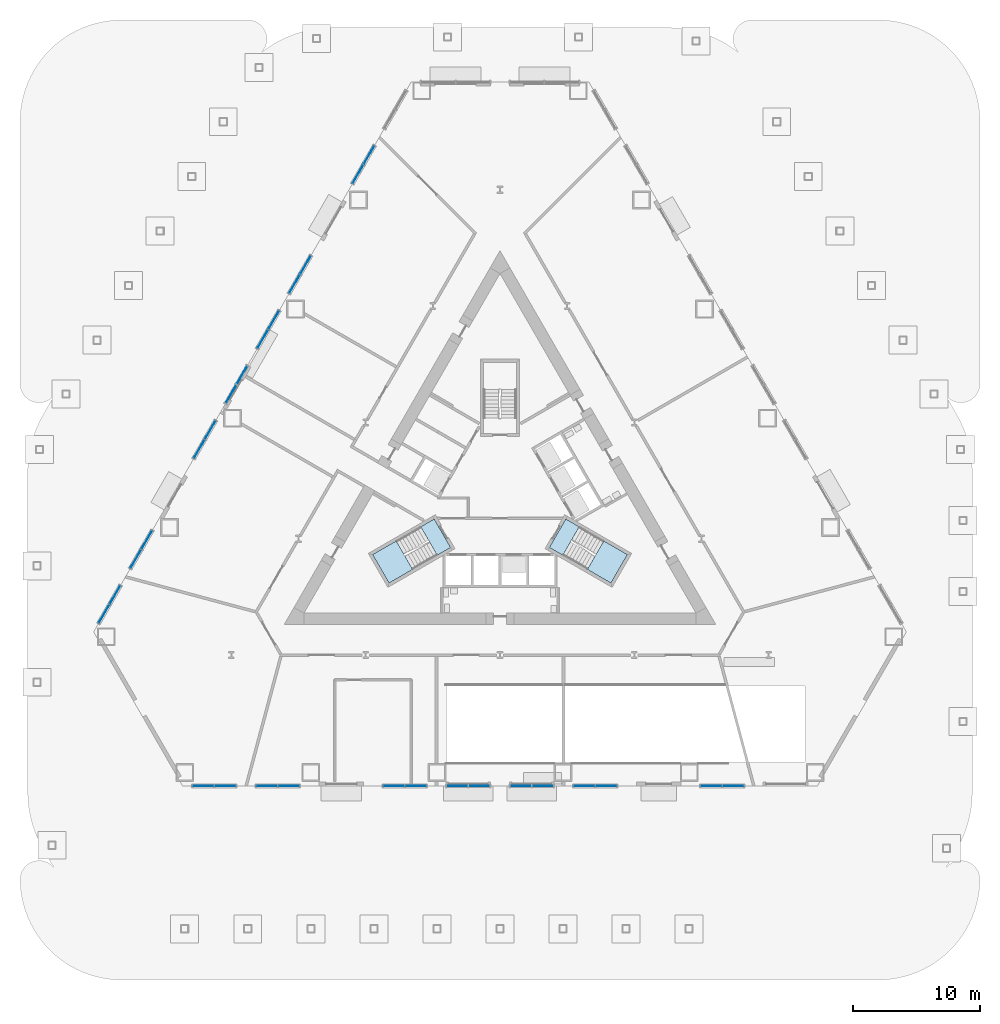
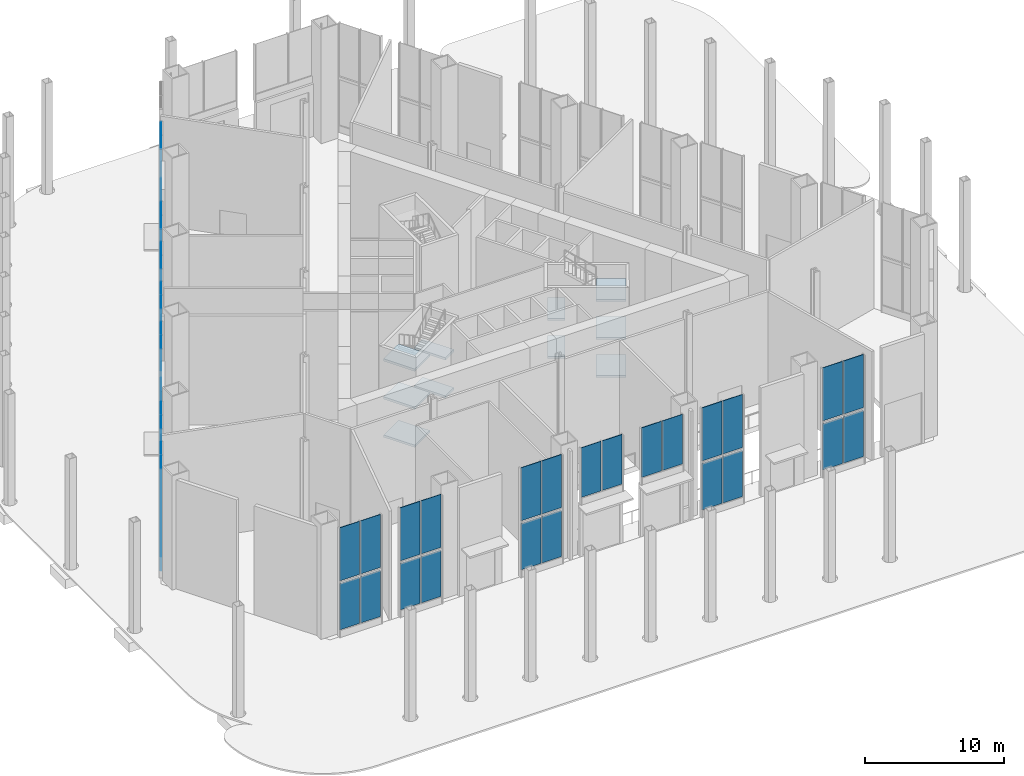
# One storey, part 7 of 18: 50 plates, 10 slabs, 16 elements without a shape of their own.
"""IFC4 building model written with IfcOpenShell, lengths in metres."""

from ifc_helpers import new_model, si_unit, direction, frame, origin, origin_2d, place, context, subcontext, project, spatial, polyline, rectangle, outline, extrude, material, layer, layer_set, type_object, element, aggregate, save


model = new_model("IFC4")

# Units and contexts
model_context = context("Model", 3, precision=1e-05, world=origin(), true_north=direction((0.0, 1.0)))
body_context = subcontext(model_context, "Body", "Model", "MODEL_VIEW")
ifc_project = project(units=[si_unit("LENGTHUNIT", "METRE"), si_unit("AREAUNIT", "SQUARE_METRE"), si_unit("VOLUMEUNIT", "CUBIC_METRE"), si_unit("PLANEANGLEUNIT", "RADIAN"), si_unit("MASSUNIT", "GRAM", prefix="KILO")], contexts=[model_context])

# Site, building, storey
site_placement = place(None, origin())
site = spatial("IfcSite", under=ifc_project, at=site_placement, CompositionType="ELEMENT")
building_placement = place(site_placement, origin())
building = spatial("IfcBuilding", under=site, at=building_placement, Name="Cormorant Prow Tower", CompositionType="ELEMENT")
storey_placement = place(building_placement, origin())
storey = spatial("IfcBuildingStorey", under=building, at=storey_placement, Name="L00", CompositionType="ELEMENT", Elevation=0.0)

# Curtain wall, plates
ifc_material_1 = material(Name="Aluminium 6063-T6", Category="aluminium")
ifc_layer_1 = layer(ifc_material_1, 0.300048828125)
ifc_layer_set_1 = layer_set([ifc_layer_1], Name="Aluminium 6063-T6")
curtain_wall_type = type_object("IfcCurtainWallType", Name="Concourse unitised curtain wall 300", PredefinedType="NOTDEFINED", material=ifc_layer_set_1)
curtain_wall_1_placement = place(storey_placement, origin())
curtain_wall_1 = element("IfcCurtainWall", 1, at=curtain_wall_1_placement, inside=storey, type_object=curtain_wall_type, Name="Concourse curtain wall S00", PredefinedType="NOTDEFINED")
ifc_material_2 = material(Name="Clear glass", Category="glass")
ifc_layer_2 = layer(ifc_material_2, 0.048095703125)
ifc_layer_set_2 = layer_set([ifc_layer_2], Name="Clear glass")
plate_type = type_object("IfcPlateType", Name="Concourse glass panel 48", PredefinedType="CURTAIN_PANEL", material=ifc_layer_set_2)
plate_1_placement = place(storey_placement, frame((-23.364990234375, -22.5166015625, 0.60009765625), z_axis=(0.0, 0.0, 1.0), x_axis=(1.0, 0.0, 0.0)))
plate_1 = element("IfcPlate", 2, at=plate_1_placement, type_object=plate_type, Name="Concourse glass panel S00", PredefinedType="CURTAIN_PANEL", context=body_context, shape_type="SweptSolid", body=[
    extrude(rectangle(XDim=1.64990234375, YDim=0.048095703125, at=origin_2d()), origin(), (0.0, 0.0, 1.0), 4.054931640625),
])
plate_2_placement = place(storey_placement, frame((-21.635009765625, -22.5166015625, 0.60009765625), z_axis=(0.0, 0.0, 1.0), x_axis=(1.0, 0.0, 0.0)))
plate_2 = element("IfcPlate", 3, at=plate_2_placement, type_object=plate_type, Name="Concourse glass panel S00", PredefinedType="CURTAIN_PANEL", context=body_context, shape_type="SweptSolid", body=[
    extrude(rectangle(XDim=1.64990234375, YDim=0.048095703125, at=origin_2d()), origin(), (0.0, 0.0, 1.0), 4.054931640625),
])
plate_3_placement = place(storey_placement, frame((-23.364990234375, -22.5166015625, 4.89501953125), z_axis=(0.0, 0.0, 1.0), x_axis=(1.0, 0.0, 0.0)))
plate_3 = element("IfcPlate", 4, at=plate_3_placement, type_object=plate_type, Name="Concourse glass panel S00", PredefinedType="CURTAIN_PANEL", context=body_context, shape_type="SweptSolid", body=[
    extrude(rectangle(XDim=1.64990234375, YDim=0.048095703125, at=origin_2d()), origin(), (0.0, 0.0, 1.0), 4.655029296875),
])
plate_4_placement = place(storey_placement, frame((-21.635009765625, -22.5166015625, 4.89501953125), z_axis=(0.0, 0.0, 1.0), x_axis=(1.0, 0.0, 0.0)))
plate_4 = element("IfcPlate", 5, at=plate_4_placement, type_object=plate_type, Name="Concourse glass panel S00", PredefinedType="CURTAIN_PANEL", context=body_context, shape_type="SweptSolid", body=[
    extrude(rectangle(XDim=1.64990234375, YDim=0.048095703125, at=origin_2d()), origin(), (0.0, 0.0, 1.0), 4.655029296875),
])
aggregate(curtain_wall_1, [plate_1, plate_2, plate_3, plate_4])

curtain_wall_2_placement = place(storey_placement, origin())
curtain_wall_2 = element("IfcCurtainWall", 6, at=curtain_wall_2_placement, inside=storey, type_object=curtain_wall_type, Name="Concourse curtain wall S01", PredefinedType="NOTDEFINED")
plate_5_placement = place(storey_placement, frame((-18.364990234375, -22.5166015625, 0.60009765625), z_axis=(0.0, 0.0, 1.0), x_axis=(1.0, 0.0, 0.0)))
plate_5 = element("IfcPlate", 7, at=plate_5_placement, type_object=plate_type, Name="Concourse glass panel S01", PredefinedType="CURTAIN_PANEL", context=body_context, shape_type="SweptSolid", body=[
    extrude(rectangle(XDim=1.64990234375, YDim=0.048095703125, at=origin_2d()), origin(), (0.0, 0.0, 1.0), 4.054931640625),
])
plate_6_placement = place(storey_placement, frame((-16.635009765625, -22.5166015625, 0.60009765625), z_axis=(0.0, 0.0, 1.0), x_axis=(1.0, 0.0, 0.0)))
plate_6 = element("IfcPlate", 8, at=plate_6_placement, type_object=plate_type, Name="Concourse glass panel S01", PredefinedType="CURTAIN_PANEL", context=body_context, shape_type="SweptSolid", body=[
    extrude(rectangle(XDim=1.64990234375, YDim=0.048095703125, at=origin_2d()), origin(), (0.0, 0.0, 1.0), 4.054931640625),
])
plate_7_placement = place(storey_placement, frame((-18.364990234375, -22.5166015625, 4.89501953125), z_axis=(0.0, 0.0, 1.0), x_axis=(1.0, 0.0, 0.0)))
plate_7 = element("IfcPlate", 9, at=plate_7_placement, type_object=plate_type, Name="Concourse glass panel S01", PredefinedType="CURTAIN_PANEL", context=body_context, shape_type="SweptSolid", body=[
    extrude(rectangle(XDim=1.64990234375, YDim=0.048095703125, at=origin_2d()), origin(), (0.0, 0.0, 1.0), 4.655029296875),
])
plate_8_placement = place(storey_placement, frame((-16.635009765625, -22.5166015625, 4.89501953125), z_axis=(0.0, 0.0, 1.0), x_axis=(1.0, 0.0, 0.0)))
plate_8 = element("IfcPlate", 10, at=plate_8_placement, type_object=plate_type, Name="Concourse glass panel S01", PredefinedType="CURTAIN_PANEL", context=body_context, shape_type="SweptSolid", body=[
    extrude(rectangle(XDim=1.64990234375, YDim=0.048095703125, at=origin_2d()), origin(), (0.0, 0.0, 1.0), 4.655029296875),
])
aggregate(curtain_wall_2, [plate_5, plate_6, plate_7, plate_8])

curtain_wall_3_placement = place(storey_placement, origin())
curtain_wall_3 = element("IfcCurtainWall", 11, at=curtain_wall_3_placement, inside=storey, type_object=curtain_wall_type, Name="Concourse curtain wall S03", PredefinedType="NOTDEFINED")
plate_9_placement = place(storey_placement, frame((-8.364990234375, -22.5166015625, 0.60009765625), z_axis=(0.0, 0.0, 1.0), x_axis=(1.0, 0.0, 0.0)))
plate_9 = element("IfcPlate", 12, at=plate_9_placement, type_object=plate_type, Name="Concourse glass panel S03", PredefinedType="CURTAIN_PANEL", context=body_context, shape_type="SweptSolid", body=[
    extrude(rectangle(XDim=1.64990234375, YDim=0.048095703125, at=origin_2d()), origin(), (0.0, 0.0, 1.0), 4.054931640625),
])
plate_10_placement = place(storey_placement, frame((-6.635009765625, -22.5166015625, 0.60009765625), z_axis=(0.0, 0.0, 1.0), x_axis=(1.0, 0.0, 0.0)))
plate_10 = element("IfcPlate", 13, at=plate_10_placement, type_object=plate_type, Name="Concourse glass panel S03", PredefinedType="CURTAIN_PANEL", context=body_context, shape_type="SweptSolid", body=[
    extrude(rectangle(XDim=1.64990234375, YDim=0.048095703125, at=origin_2d()), origin(), (0.0, 0.0, 1.0), 4.054931640625),
])
plate_11_placement = place(storey_placement, frame((-8.364990234375, -22.5166015625, 4.89501953125), z_axis=(0.0, 0.0, 1.0), x_axis=(1.0, 0.0, 0.0)))
plate_11 = element("IfcPlate", 14, at=plate_11_placement, type_object=plate_type, Name="Concourse glass panel S03", PredefinedType="CURTAIN_PANEL", context=body_context, shape_type="SweptSolid", body=[
    extrude(rectangle(XDim=1.64990234375, YDim=0.048095703125, at=origin_2d()), origin(), (0.0, 0.0, 1.0), 4.655029296875),
])
plate_12_placement = place(storey_placement, frame((-6.635009765625, -22.5166015625, 4.89501953125), z_axis=(0.0, 0.0, 1.0), x_axis=(1.0, 0.0, 0.0)))
plate_12 = element("IfcPlate", 15, at=plate_12_placement, type_object=plate_type, Name="Concourse glass panel S03", PredefinedType="CURTAIN_PANEL", context=body_context, shape_type="SweptSolid", body=[
    extrude(rectangle(XDim=1.64990234375, YDim=0.048095703125, at=origin_2d()), origin(), (0.0, 0.0, 1.0), 4.655029296875),
])
aggregate(curtain_wall_3, [plate_9, plate_10, plate_11, plate_12])

curtain_wall_4_placement = place(storey_placement, origin())
curtain_wall_4 = element("IfcCurtainWall", 16, at=curtain_wall_4_placement, inside=storey, type_object=curtain_wall_type, Name="Concourse curtain wall S04", PredefinedType="NOTDEFINED")
plate_13_placement = place(storey_placement, frame((-3.364990234375, -22.5166015625, 5.199951171875), z_axis=(0.0, 0.0, 1.0), x_axis=(1.0, 0.0, 0.0)))
plate_13 = element("IfcPlate", 17, at=plate_13_placement, type_object=plate_type, Name="Concourse glass panel S04", PredefinedType="CURTAIN_PANEL", context=body_context, shape_type="SweptSolid", body=[
    extrude(rectangle(XDim=1.64990234375, YDim=0.048095703125, at=origin_2d()), origin(), (0.0, 0.0, 1.0), 4.35009765625),
])
plate_14_placement = place(storey_placement, frame((-1.635009765625, -22.5166015625, 5.199951171875), z_axis=(0.0, 0.0, 1.0), x_axis=(1.0, 0.0, 0.0)))
plate_14 = element("IfcPlate", 18, at=plate_14_placement, type_object=plate_type, Name="Concourse glass panel S04", PredefinedType="CURTAIN_PANEL", context=body_context, shape_type="SweptSolid", body=[
    extrude(rectangle(XDim=1.64990234375, YDim=0.048095703125, at=origin_2d()), origin(), (0.0, 0.0, 1.0), 4.35009765625),
])
aggregate(curtain_wall_4, [plate_13, plate_14])

curtain_wall_5_placement = place(storey_placement, origin())
curtain_wall_5 = element("IfcCurtainWall", 19, at=curtain_wall_5_placement, inside=storey, type_object=curtain_wall_type, Name="Concourse curtain wall S05", PredefinedType="NOTDEFINED")
plate_15_placement = place(storey_placement, frame((1.635009765625, -22.5166015625, 5.199951171875), z_axis=(0.0, 0.0, 1.0), x_axis=(1.0, 0.0, 0.0)))
plate_15 = element("IfcPlate", 20, at=plate_15_placement, type_object=plate_type, Name="Concourse glass panel S05", PredefinedType="CURTAIN_PANEL", context=body_context, shape_type="SweptSolid", body=[
    extrude(rectangle(XDim=1.64990234375, YDim=0.048095703125, at=origin_2d()), origin(), (0.0, 0.0, 1.0), 4.35009765625),
])
plate_16_placement = place(storey_placement, frame((3.364990234375, -22.5166015625, 5.199951171875), z_axis=(0.0, 0.0, 1.0), x_axis=(1.0, 0.0, 0.0)))
plate_16 = element("IfcPlate", 21, at=plate_16_placement, type_object=plate_type, Name="Concourse glass panel S05", PredefinedType="CURTAIN_PANEL", context=body_context, shape_type="SweptSolid", body=[
    extrude(rectangle(XDim=1.64990234375, YDim=0.048095703125, at=origin_2d()), origin(), (0.0, 0.0, 1.0), 4.35009765625),
])
aggregate(curtain_wall_5, [plate_15, plate_16])

curtain_wall_6_placement = place(storey_placement, origin())
curtain_wall_6 = element("IfcCurtainWall", 22, at=curtain_wall_6_placement, inside=storey, type_object=curtain_wall_type, Name="Concourse curtain wall S06", PredefinedType="NOTDEFINED")
plate_17_placement = place(storey_placement, frame((6.635009765625, -22.5166015625, 0.60009765625), z_axis=(0.0, 0.0, 1.0), x_axis=(1.0, 0.0, 0.0)))
plate_17 = element("IfcPlate", 23, at=plate_17_placement, type_object=plate_type, Name="Concourse glass panel S06", PredefinedType="CURTAIN_PANEL", context=body_context, shape_type="SweptSolid", body=[
    extrude(rectangle(XDim=1.64990234375, YDim=0.048095703125, at=origin_2d()), origin(), (0.0, 0.0, 1.0), 4.054931640625),
])
plate_18_placement = place(storey_placement, frame((8.364990234375, -22.5166015625, 0.60009765625), z_axis=(0.0, 0.0, 1.0), x_axis=(1.0, 0.0, 0.0)))
plate_18 = element("IfcPlate", 24, at=plate_18_placement, type_object=plate_type, Name="Concourse glass panel S06", PredefinedType="CURTAIN_PANEL", context=body_context, shape_type="SweptSolid", body=[
    extrude(rectangle(XDim=1.64990234375, YDim=0.048095703125, at=origin_2d()), origin(), (0.0, 0.0, 1.0), 4.054931640625),
])
plate_19_placement = place(storey_placement, frame((6.635009765625, -22.5166015625, 4.89501953125), z_axis=(0.0, 0.0, 1.0), x_axis=(1.0, 0.0, 0.0)))
plate_19 = element("IfcPlate", 25, at=plate_19_placement, type_object=plate_type, Name="Concourse glass panel S06", PredefinedType="CURTAIN_PANEL", context=body_context, shape_type="SweptSolid", body=[
    extrude(rectangle(XDim=1.64990234375, YDim=0.048095703125, at=origin_2d()), origin(), (0.0, 0.0, 1.0), 4.655029296875),
])
plate_20_placement = place(storey_placement, frame((8.364990234375, -22.5166015625, 4.89501953125), z_axis=(0.0, 0.0, 1.0), x_axis=(1.0, 0.0, 0.0)))
plate_20 = element("IfcPlate", 26, at=plate_20_placement, type_object=plate_type, Name="Concourse glass panel S06", PredefinedType="CURTAIN_PANEL", context=body_context, shape_type="SweptSolid", body=[
    extrude(rectangle(XDim=1.64990234375, YDim=0.048095703125, at=origin_2d()), origin(), (0.0, 0.0, 1.0), 4.655029296875),
])
aggregate(curtain_wall_6, [plate_17, plate_18, plate_19, plate_20])

curtain_wall_7_placement = place(storey_placement, origin())
curtain_wall_7 = element("IfcCurtainWall", 27, at=curtain_wall_7_placement, inside=storey, type_object=curtain_wall_type, Name="Concourse curtain wall S08", PredefinedType="NOTDEFINED")
plate_21_placement = place(storey_placement, frame((16.635009765625, -22.5166015625, 0.60009765625), z_axis=(0.0, 0.0, 1.0), x_axis=(1.0, 0.0, 0.0)))
plate_21 = element("IfcPlate", 28, at=plate_21_placement, type_object=plate_type, Name="Concourse glass panel S08", PredefinedType="CURTAIN_PANEL", context=body_context, shape_type="SweptSolid", body=[
    extrude(rectangle(XDim=1.64990234375, YDim=0.048095703125, at=origin_2d()), origin(), (0.0, 0.0, 1.0), 4.054931640625),
])
plate_22_placement = place(storey_placement, frame((18.364990234375, -22.5166015625, 0.60009765625), z_axis=(0.0, 0.0, 1.0), x_axis=(1.0, 0.0, 0.0)))
plate_22 = element("IfcPlate", 29, at=plate_22_placement, type_object=plate_type, Name="Concourse glass panel S08", PredefinedType="CURTAIN_PANEL", context=body_context, shape_type="SweptSolid", body=[
    extrude(rectangle(XDim=1.64990234375, YDim=0.048095703125, at=origin_2d()), origin(), (0.0, 0.0, 1.0), 4.054931640625),
])
plate_23_placement = place(storey_placement, frame((16.635009765625, -22.5166015625, 4.89501953125), z_axis=(0.0, 0.0, 1.0), x_axis=(1.0, 0.0, 0.0)))
plate_23 = element("IfcPlate", 30, at=plate_23_placement, type_object=plate_type, Name="Concourse glass panel S08", PredefinedType="CURTAIN_PANEL", context=body_context, shape_type="SweptSolid", body=[
    extrude(rectangle(XDim=1.64990234375, YDim=0.048095703125, at=origin_2d()), origin(), (0.0, 0.0, 1.0), 4.655029296875),
])
plate_24_placement = place(storey_placement, frame((18.364990234375, -22.5166015625, 4.89501953125), z_axis=(0.0, 0.0, 1.0), x_axis=(1.0, 0.0, 0.0)))
plate_24 = element("IfcPlate", 31, at=plate_24_placement, type_object=plate_type, Name="Concourse glass panel S08", PredefinedType="CURTAIN_PANEL", context=body_context, shape_type="SweptSolid", body=[
    extrude(rectangle(XDim=1.64990234375, YDim=0.048095703125, at=origin_2d()), origin(), (0.0, 0.0, 1.0), 4.655029296875),
])
aggregate(curtain_wall_7, [plate_21, plate_22, plate_23, plate_24])

curtain_wall_8_placement = place(storey_placement, origin())
curtain_wall_8 = element("IfcCurtainWall", 32, at=curtain_wall_8_placement, inside=storey, type_object=curtain_wall_type, Name="Concourse curtain wall WNW01", PredefinedType="NOTDEFINED")
plate_25_placement = place(storey_placement, frame((-10.3173828125, 27.162841796875, 0.60009765625), z_axis=(0.0, 0.0, 1.0), x_axis=(-0.500000001632, -0.866025402842, 0.0)))
plate_25 = element("IfcPlate", 33, at=plate_25_placement, type_object=plate_type, Name="Concourse glass panel WNW01", PredefinedType="CURTAIN_PANEL", context=body_context, shape_type="SweptSolid", body=[
    extrude(rectangle(XDim=1.64990234375, YDim=0.048095703125, at=origin_2d()), origin(), (0.0, 0.0, 1.0), 4.054931640625),
])
plate_26_placement = place(storey_placement, frame((-11.1826171875, 25.66455078125, 0.60009765625), z_axis=(0.0, 0.0, 1.0), x_axis=(-0.500000001632, -0.866025402842, 0.0)))
plate_26 = element("IfcPlate", 34, at=plate_26_placement, type_object=plate_type, Name="Concourse glass panel WNW01", PredefinedType="CURTAIN_PANEL", context=body_context, shape_type="SweptSolid", body=[
    extrude(rectangle(XDim=1.64990234375, YDim=0.048095703125, at=origin_2d()), origin(), (0.0, 0.0, 1.0), 4.054931640625),
])
plate_27_placement = place(storey_placement, frame((-10.3173828125, 27.162841796875, 4.89501953125), z_axis=(0.0, 0.0, 1.0), x_axis=(-0.500000001632, -0.866025402842, 0.0)))
plate_27 = element("IfcPlate", 35, at=plate_27_placement, type_object=plate_type, Name="Concourse glass panel WNW01", PredefinedType="CURTAIN_PANEL", context=body_context, shape_type="SweptSolid", body=[
    extrude(rectangle(XDim=1.64990234375, YDim=0.048095703125, at=origin_2d()), origin(), (0.0, 0.0, 1.0), 4.655029296875),
])
plate_28_placement = place(storey_placement, frame((-11.1826171875, 25.66455078125, 4.89501953125), z_axis=(0.0, 0.0, 1.0), x_axis=(-0.500000001632, -0.866025402842, 0.0)))
plate_28 = element("IfcPlate", 36, at=plate_28_placement, type_object=plate_type, Name="Concourse glass panel WNW01", PredefinedType="CURTAIN_PANEL", context=body_context, shape_type="SweptSolid", body=[
    extrude(rectangle(XDim=1.64990234375, YDim=0.048095703125, at=origin_2d()), origin(), (0.0, 0.0, 1.0), 4.655029296875),
])
aggregate(curtain_wall_8, [plate_25, plate_26, plate_27, plate_28])

curtain_wall_9_placement = place(storey_placement, origin())
curtain_wall_9 = element("IfcCurtainWall", 37, at=curtain_wall_9_placement, inside=storey, type_object=curtain_wall_type, Name="Concourse curtain wall WNW03", PredefinedType="NOTDEFINED")
plate_29_placement = place(storey_placement, frame((-15.3173828125, 18.502685546875, 0.60009765625), z_axis=(0.0, 0.0, 1.0), x_axis=(-0.500000001632, -0.866025402842, 0.0)))
plate_29 = element("IfcPlate", 38, at=plate_29_placement, type_object=plate_type, Name="Concourse glass panel WNW03", PredefinedType="CURTAIN_PANEL", context=body_context, shape_type="SweptSolid", body=[
    extrude(rectangle(XDim=1.64990234375, YDim=0.048095703125, at=origin_2d()), origin(), (0.0, 0.0, 1.0), 4.054931640625),
])
plate_30_placement = place(storey_placement, frame((-16.1826171875, 17.00439453125, 0.60009765625), z_axis=(0.0, 0.0, 1.0), x_axis=(-0.500000001632, -0.866025402842, 0.0)))
plate_30 = element("IfcPlate", 39, at=plate_30_placement, type_object=plate_type, Name="Concourse glass panel WNW03", PredefinedType="CURTAIN_PANEL", context=body_context, shape_type="SweptSolid", body=[
    extrude(rectangle(XDim=1.64990234375, YDim=0.048095703125, at=origin_2d()), origin(), (0.0, 0.0, 1.0), 4.054931640625),
])
plate_31_placement = place(storey_placement, frame((-15.3173828125, 18.502685546875, 4.89501953125), z_axis=(0.0, 0.0, 1.0), x_axis=(-0.500000001632, -0.866025402842, 0.0)))
plate_31 = element("IfcPlate", 40, at=plate_31_placement, type_object=plate_type, Name="Concourse glass panel WNW03", PredefinedType="CURTAIN_PANEL", context=body_context, shape_type="SweptSolid", body=[
    extrude(rectangle(XDim=1.64990234375, YDim=0.048095703125, at=origin_2d()), origin(), (0.0, 0.0, 1.0), 4.655029296875),
])
plate_32_placement = place(storey_placement, frame((-16.1826171875, 17.00439453125, 4.89501953125), z_axis=(0.0, 0.0, 1.0), x_axis=(-0.500000001632, -0.866025402842, 0.0)))
plate_32 = element("IfcPlate", 41, at=plate_32_placement, type_object=plate_type, Name="Concourse glass panel WNW03", PredefinedType="CURTAIN_PANEL", context=body_context, shape_type="SweptSolid", body=[
    extrude(rectangle(XDim=1.64990234375, YDim=0.048095703125, at=origin_2d()), origin(), (0.0, 0.0, 1.0), 4.655029296875),
])
aggregate(curtain_wall_9, [plate_29, plate_30, plate_31, plate_32])

curtain_wall_10_placement = place(storey_placement, origin())
curtain_wall_10 = element("IfcCurtainWall", 42, at=curtain_wall_10_placement, inside=storey, type_object=curtain_wall_type, Name="Concourse curtain wall WNW04", PredefinedType="NOTDEFINED")
plate_33_placement = place(storey_placement, frame((-17.8173828125, 14.172607421875, 0.60009765625), z_axis=(0.0, 0.0, 1.0), x_axis=(-0.500000001632, -0.866025402842, 0.0)))
plate_33 = element("IfcPlate", 43, at=plate_33_placement, type_object=plate_type, Name="Concourse glass panel WNW04", PredefinedType="CURTAIN_PANEL", context=body_context, shape_type="SweptSolid", body=[
    extrude(rectangle(XDim=1.64990234375, YDim=0.048095703125, at=origin_2d()), origin(), (0.0, 0.0, 1.0), 4.054931640625),
])
plate_34_placement = place(storey_placement, frame((-18.6826171875, 12.67431640625, 0.60009765625), z_axis=(0.0, 0.0, 1.0), x_axis=(-0.500000001632, -0.866025402842, 0.0)))
plate_34 = element("IfcPlate", 44, at=plate_34_placement, type_object=plate_type, Name="Concourse glass panel WNW04", PredefinedType="CURTAIN_PANEL", context=body_context, shape_type="SweptSolid", body=[
    extrude(rectangle(XDim=1.64990234375, YDim=0.048095703125, at=origin_2d()), origin(), (0.0, 0.0, 1.0), 4.054931640625),
])
plate_35_placement = place(storey_placement, frame((-17.8173828125, 14.172607421875, 4.89501953125), z_axis=(0.0, 0.0, 1.0), x_axis=(-0.500000001632, -0.866025402842, 0.0)))
plate_35 = element("IfcPlate", 45, at=plate_35_placement, type_object=plate_type, Name="Concourse glass panel WNW04", PredefinedType="CURTAIN_PANEL", context=body_context, shape_type="SweptSolid", body=[
    extrude(rectangle(XDim=1.64990234375, YDim=0.048095703125, at=origin_2d()), origin(), (0.0, 0.0, 1.0), 4.655029296875),
])
plate_36_placement = place(storey_placement, frame((-18.6826171875, 12.67431640625, 4.89501953125), z_axis=(0.0, 0.0, 1.0), x_axis=(-0.500000001632, -0.866025402842, 0.0)))
plate_36 = element("IfcPlate", 46, at=plate_36_placement, type_object=plate_type, Name="Concourse glass panel WNW04", PredefinedType="CURTAIN_PANEL", context=body_context, shape_type="SweptSolid", body=[
    extrude(rectangle(XDim=1.64990234375, YDim=0.048095703125, at=origin_2d()), origin(), (0.0, 0.0, 1.0), 4.655029296875),
])
aggregate(curtain_wall_10, [plate_33, plate_34, plate_35, plate_36])

curtain_wall_11_placement = place(storey_placement, origin())
curtain_wall_11 = element("IfcCurtainWall", 47, at=curtain_wall_11_placement, inside=storey, type_object=curtain_wall_type, Name="Concourse curtain wall WNW05", PredefinedType="NOTDEFINED")
plate_37_placement = place(storey_placement, frame((-20.3173828125, 9.84228515625, 5.199951171875), z_axis=(0.0, 0.0, 1.0), x_axis=(-0.500000001632, -0.866025402842, 0.0)))
plate_37 = element("IfcPlate", 48, at=plate_37_placement, type_object=plate_type, Name="Concourse glass panel WNW05", PredefinedType="CURTAIN_PANEL", context=body_context, shape_type="SweptSolid", body=[
    extrude(rectangle(XDim=1.64990234375, YDim=0.048095703125, at=origin_2d()), origin(), (0.0, 0.0, 1.0), 4.35009765625),
])
plate_38_placement = place(storey_placement, frame((-21.1826171875, 8.34423828125, 5.199951171875), z_axis=(0.0, 0.0, 1.0), x_axis=(-0.500000001632, -0.866025402842, 0.0)))
plate_38 = element("IfcPlate", 49, at=plate_38_placement, type_object=plate_type, Name="Concourse glass panel WNW05", PredefinedType="CURTAIN_PANEL", context=body_context, shape_type="SweptSolid", body=[
    extrude(rectangle(XDim=1.64990234375, YDim=0.048095703125, at=origin_2d()), origin(), (0.0, 0.0, 1.0), 4.35009765625),
])
aggregate(curtain_wall_11, [plate_37, plate_38])

curtain_wall_12_placement = place(storey_placement, origin())
curtain_wall_12 = element("IfcCurtainWall", 50, at=curtain_wall_12_placement, inside=storey, type_object=curtain_wall_type, Name="Concourse curtain wall WNW06", PredefinedType="NOTDEFINED")
plate_39_placement = place(storey_placement, frame((-22.8173828125, 5.51220703125, 0.60009765625), z_axis=(0.0, 0.0, 1.0), x_axis=(-0.500000001632, -0.866025402842, 0.0)))
plate_39 = element("IfcPlate", 51, at=plate_39_placement, type_object=plate_type, Name="Concourse glass panel WNW06", PredefinedType="CURTAIN_PANEL", context=body_context, shape_type="SweptSolid", body=[
    extrude(rectangle(XDim=1.64990234375, YDim=0.048095703125, at=origin_2d()), origin(), (0.0, 0.0, 1.0), 4.054931640625),
])
plate_40_placement = place(storey_placement, frame((-23.6826171875, 4.013916015625, 0.60009765625), z_axis=(0.0, 0.0, 1.0), x_axis=(-0.500000001632, -0.866025402842, 0.0)))
plate_40 = element("IfcPlate", 52, at=plate_40_placement, type_object=plate_type, Name="Concourse glass panel WNW06", PredefinedType="CURTAIN_PANEL", context=body_context, shape_type="SweptSolid", body=[
    extrude(rectangle(XDim=1.64990234375, YDim=0.048095703125, at=origin_2d()), origin(), (0.0, 0.0, 1.0), 4.054931640625),
])
plate_41_placement = place(storey_placement, frame((-22.8173828125, 5.51220703125, 4.89501953125), z_axis=(0.0, 0.0, 1.0), x_axis=(-0.500000001632, -0.866025402842, 0.0)))
plate_41 = element("IfcPlate", 53, at=plate_41_placement, type_object=plate_type, Name="Concourse glass panel WNW06", PredefinedType="CURTAIN_PANEL", context=body_context, shape_type="SweptSolid", body=[
    extrude(rectangle(XDim=1.64990234375, YDim=0.048095703125, at=origin_2d()), origin(), (0.0, 0.0, 1.0), 4.655029296875),
])
plate_42_placement = place(storey_placement, frame((-23.6826171875, 4.013916015625, 4.89501953125), z_axis=(0.0, 0.0, 1.0), x_axis=(-0.500000001632, -0.866025402842, 0.0)))
plate_42 = element("IfcPlate", 54, at=plate_42_placement, type_object=plate_type, Name="Concourse glass panel WNW06", PredefinedType="CURTAIN_PANEL", context=body_context, shape_type="SweptSolid", body=[
    extrude(rectangle(XDim=1.64990234375, YDim=0.048095703125, at=origin_2d()), origin(), (0.0, 0.0, 1.0), 4.655029296875),
])
aggregate(curtain_wall_12, [plate_39, plate_40, plate_41, plate_42])

curtain_wall_13_placement = place(storey_placement, origin())
curtain_wall_13 = element("IfcCurtainWall", 55, at=curtain_wall_13_placement, inside=storey, type_object=curtain_wall_type, Name="Concourse curtain wall WNW08", PredefinedType="NOTDEFINED")
plate_43_placement = place(storey_placement, frame((-27.8173828125, -3.14794921875, 0.60009765625), z_axis=(0.0, 0.0, 1.0), x_axis=(-0.500000001632, -0.866025402842, 0.0)))
plate_43 = element("IfcPlate", 56, at=plate_43_placement, type_object=plate_type, Name="Concourse glass panel WNW08", PredefinedType="CURTAIN_PANEL", context=body_context, shape_type="SweptSolid", body=[
    extrude(rectangle(XDim=1.64990234375, YDim=0.048095703125, at=origin_2d()), origin(), (0.0, 0.0, 1.0), 4.054931640625),
])
plate_44_placement = place(storey_placement, frame((-28.6826171875, -4.646240234375, 0.60009765625), z_axis=(0.0, 0.0, 1.0), x_axis=(-0.500000001632, -0.866025402842, 0.0)))
plate_44 = element("IfcPlate", 57, at=plate_44_placement, type_object=plate_type, Name="Concourse glass panel WNW08", PredefinedType="CURTAIN_PANEL", context=body_context, shape_type="SweptSolid", body=[
    extrude(rectangle(XDim=1.64990234375, YDim=0.048095703125, at=origin_2d()), origin(), (0.0, 0.0, 1.0), 4.054931640625),
])
plate_45_placement = place(storey_placement, frame((-27.8173828125, -3.14794921875, 4.89501953125), z_axis=(0.0, 0.0, 1.0), x_axis=(-0.500000001632, -0.866025402842, 0.0)))
plate_45 = element("IfcPlate", 58, at=plate_45_placement, type_object=plate_type, Name="Concourse glass panel WNW08", PredefinedType="CURTAIN_PANEL", context=body_context, shape_type="SweptSolid", body=[
    extrude(rectangle(XDim=1.64990234375, YDim=0.048095703125, at=origin_2d()), origin(), (0.0, 0.0, 1.0), 4.655029296875),
])
plate_46_placement = place(storey_placement, frame((-28.6826171875, -4.646240234375, 4.89501953125), z_axis=(0.0, 0.0, 1.0), x_axis=(-0.500000001632, -0.866025402842, 0.0)))
plate_46 = element("IfcPlate", 59, at=plate_46_placement, type_object=plate_type, Name="Concourse glass panel WNW08", PredefinedType="CURTAIN_PANEL", context=body_context, shape_type="SweptSolid", body=[
    extrude(rectangle(XDim=1.64990234375, YDim=0.048095703125, at=origin_2d()), origin(), (0.0, 0.0, 1.0), 4.655029296875),
])
aggregate(curtain_wall_13, [plate_43, plate_44, plate_45, plate_46])

curtain_wall_14_placement = place(storey_placement, origin())
curtain_wall_14 = element("IfcCurtainWall", 60, at=curtain_wall_14_placement, inside=storey, type_object=curtain_wall_type, Name="Concourse curtain wall WNW09", PredefinedType="NOTDEFINED")
plate_47_placement = place(storey_placement, frame((-30.3173828125, -7.47802734375, 0.60009765625), z_axis=(0.0, 0.0, 1.0), x_axis=(-0.500000001632, -0.866025402842, 0.0)))
plate_47 = element("IfcPlate", 61, at=plate_47_placement, type_object=plate_type, Name="Concourse glass panel WNW09", PredefinedType="CURTAIN_PANEL", context=body_context, shape_type="SweptSolid", body=[
    extrude(rectangle(XDim=1.64990234375, YDim=0.048095703125, at=origin_2d()), origin(), (0.0, 0.0, 1.0), 4.054931640625),
])
plate_48_placement = place(storey_placement, frame((-31.1826171875, -8.976318359375, 0.60009765625), z_axis=(0.0, 0.0, 1.0), x_axis=(-0.500000001632, -0.866025402842, 0.0)))
plate_48 = element("IfcPlate", 62, at=plate_48_placement, type_object=plate_type, Name="Concourse glass panel WNW09", PredefinedType="CURTAIN_PANEL", context=body_context, shape_type="SweptSolid", body=[
    extrude(rectangle(XDim=1.64990234375, YDim=0.048095703125, at=origin_2d()), origin(), (0.0, 0.0, 1.0), 4.054931640625),
])
plate_49_placement = place(storey_placement, frame((-30.3173828125, -7.47802734375, 4.89501953125), z_axis=(0.0, 0.0, 1.0), x_axis=(-0.500000001632, -0.866025402842, 0.0)))
plate_49 = element("IfcPlate", 63, at=plate_49_placement, type_object=plate_type, Name="Concourse glass panel WNW09", PredefinedType="CURTAIN_PANEL", context=body_context, shape_type="SweptSolid", body=[
    extrude(rectangle(XDim=1.64990234375, YDim=0.048095703125, at=origin_2d()), origin(), (0.0, 0.0, 1.0), 4.655029296875),
])
plate_50_placement = place(storey_placement, frame((-31.1826171875, -8.976318359375, 4.89501953125), z_axis=(0.0, 0.0, 1.0), x_axis=(-0.500000001632, -0.866025402842, 0.0)))
plate_50 = element("IfcPlate", 64, at=plate_50_placement, type_object=plate_type, Name="Concourse glass panel WNW09", PredefinedType="CURTAIN_PANEL", context=body_context, shape_type="SweptSolid", body=[
    extrude(rectangle(XDim=1.64990234375, YDim=0.048095703125, at=origin_2d()), origin(), (0.0, 0.0, 1.0), 4.655029296875),
])
aggregate(curtain_wall_14, [plate_47, plate_48, plate_49, plate_50])

# Stair, slabs
ifc_material_3 = material(Name="Exit stair 54 risers")
stair_type = type_object("IfcStairType", Name="Exit stair 54 risers", PredefinedType="HALF_TURN_STAIR", material=ifc_material_3)
stair_1_placement = place(storey_placement, origin())
stair_1 = element("IfcStair", 65, at=stair_1_placement, inside=storey, type_object=stair_type, Name="L00 Exit stair ST1", PredefinedType="HALF_TURN_STAIR")
ifc_material_4 = material(Name="Concrete 5000 psi", Category="concrete")
ifc_layer_3 = layer(ifc_material_4, 0.199951171875)
ifc_layer_set_3 = layer_set([ifc_layer_3], Name="Concrete 5000 psi")
slab_type = type_object("IfcSlabType", Name="Stair landing 200", PredefinedType="LANDING", material=ifc_layer_set_3)
slab_1_placement = place(storey_placement, frame((0.0, 0.0, 1.466552734375)))
slab_1 = element("IfcSlab", 66, at=slab_1_placement, type_object=slab_type, Name="ST1 landing 1", PredefinedType="LANDING", context=body_context, shape_type="SweptSolid", body=[
    extrude(outline(polyline([(-8.17431640625, -3.225341796875), (-10.031982421875, -4.2978515625), (-8.738037109375, -6.5390625), (-6.88037109375, -5.466552734375), (-8.17431640625, -3.225341796875)])), origin(), (0.0, 0.0, 1.0), 0.2001953125),
])
slab_2_placement = place(storey_placement, frame((0.0, 0.0, 3.13330078125)))
slab_2 = element("IfcSlab", 67, at=slab_2_placement, type_object=slab_type, Name="ST1 landing 2", PredefinedType="LANDING", context=body_context, shape_type="SweptSolid", body=[
    extrude(outline(polyline([(-5.18212890625, -1.497802734375), (-6.241455078125, -2.109375), (-4.947265625, -4.3505859375), (-3.88818359375, -3.739013671875), (-5.18212890625, -1.497802734375)])), origin(), (0.0, 0.0, 1.0), 0.199951171875),
])
slab_3_placement = place(storey_placement, frame((0.0, 0.0, 4.800048828125)))
slab_3 = element("IfcSlab", 68, at=slab_3_placement, type_object=slab_type, Name="ST1 landing 3", PredefinedType="LANDING", context=body_context, shape_type="SweptSolid", body=[
    extrude(outline(polyline([(-8.17431640625, -3.225341796875), (-10.031982421875, -4.2978515625), (-8.738037109375, -6.5390625), (-6.88037109375, -5.466552734375), (-8.17431640625, -3.225341796875)])), origin(), (0.0, 0.0, 1.0), 0.199951171875),
])
slab_4_placement = place(storey_placement, frame((0.0, 0.0, 6.466552734375)))
slab_4 = element("IfcSlab", 69, at=slab_4_placement, type_object=slab_type, Name="ST1 landing 4", PredefinedType="LANDING", context=body_context, shape_type="SweptSolid", body=[
    extrude(outline(polyline([(-5.18212890625, -1.497802734375), (-6.241455078125, -2.109375), (-4.947265625, -4.3505859375), (-3.88818359375, -3.739013671875), (-5.18212890625, -1.497802734375)])), origin(), (0.0, 0.0, 1.0), 0.2001953125),
])
slab_5_placement = place(storey_placement, frame((0.0, 0.0, 8.13330078125)))
slab_5 = element("IfcSlab", 70, at=slab_5_placement, type_object=slab_type, Name="ST1 landing 5", PredefinedType="LANDING", context=body_context, shape_type="SweptSolid", body=[
    extrude(outline(polyline([(-8.17431640625, -3.225341796875), (-10.031982421875, -4.2978515625), (-8.738037109375, -6.5390625), (-6.88037109375, -5.466552734375), (-8.17431640625, -3.225341796875)])), origin(), (0.0, 0.0, 1.0), 0.199951171875),
])
aggregate(stair_1, [slab_1, slab_2, slab_3, slab_4, slab_5])

stair_2_placement = place(storey_placement, origin())
stair_2 = element("IfcStair", 71, at=stair_2_placement, inside=storey, type_object=stair_type, Name="L00 Exit stair ST2", PredefinedType="HALF_TURN_STAIR")
slab_6_placement = place(storey_placement, frame((0.0, 0.0, 1.466552734375)))
slab_6 = element("IfcSlab", 72, at=slab_6_placement, type_object=slab_type, Name="ST2 landing 1", PredefinedType="LANDING", context=body_context, shape_type="SweptSolid", body=[
    extrude(outline(polyline([(6.88037109375, -5.466552734375), (8.738037109375, -6.5390625), (10.031982421875, -4.2978515625), (8.17431640625, -3.225341796875), (6.88037109375, -5.466552734375)])), origin(), (0.0, 0.0, 1.0), 0.2001953125),
])
slab_7_placement = place(storey_placement, frame((0.0, 0.0, 3.13330078125)))
slab_7 = element("IfcSlab", 73, at=slab_7_placement, type_object=slab_type, Name="ST2 landing 2", PredefinedType="LANDING", context=body_context, shape_type="SweptSolid", body=[
    extrude(outline(polyline([(3.88818359375, -3.739013671875), (4.947265625, -4.3505859375), (6.241455078125, -2.109375), (5.18212890625, -1.497802734375), (3.88818359375, -3.739013671875)])), origin(), (0.0, 0.0, 1.0), 0.199951171875),
])
slab_8_placement = place(storey_placement, frame((0.0, 0.0, 4.800048828125)))
slab_8 = element("IfcSlab", 74, at=slab_8_placement, type_object=slab_type, Name="ST2 landing 3", PredefinedType="LANDING", context=body_context, shape_type="SweptSolid", body=[
    extrude(outline(polyline([(6.88037109375, -5.466552734375), (8.738037109375, -6.5390625), (10.031982421875, -4.2978515625), (8.17431640625, -3.225341796875), (6.88037109375, -5.466552734375)])), origin(), (0.0, 0.0, 1.0), 0.199951171875),
])
slab_9_placement = place(storey_placement, frame((0.0, 0.0, 6.466552734375)))
slab_9 = element("IfcSlab", 75, at=slab_9_placement, type_object=slab_type, Name="ST2 landing 4", PredefinedType="LANDING", context=body_context, shape_type="SweptSolid", body=[
    extrude(outline(polyline([(3.88818359375, -3.739013671875), (4.947265625, -4.3505859375), (6.241455078125, -2.109375), (5.18212890625, -1.497802734375), (3.88818359375, -3.739013671875)])), origin(), (0.0, 0.0, 1.0), 0.2001953125),
])
slab_10_placement = place(storey_placement, frame((0.0, 0.0, 8.13330078125)))
slab_10 = element("IfcSlab", 76, at=slab_10_placement, type_object=slab_type, Name="ST2 landing 5", PredefinedType="LANDING", context=body_context, shape_type="SweptSolid", body=[
    extrude(outline(polyline([(6.88037109375, -5.466552734375), (8.738037109375, -6.5390625), (10.031982421875, -4.2978515625), (8.17431640625, -3.225341796875), (6.88037109375, -5.466552734375)])), origin(), (0.0, 0.0, 1.0), 0.199951171875),
])
aggregate(stair_2, [slab_6, slab_7, slab_8, slab_9, slab_10])

save(model, "model.ifc")
